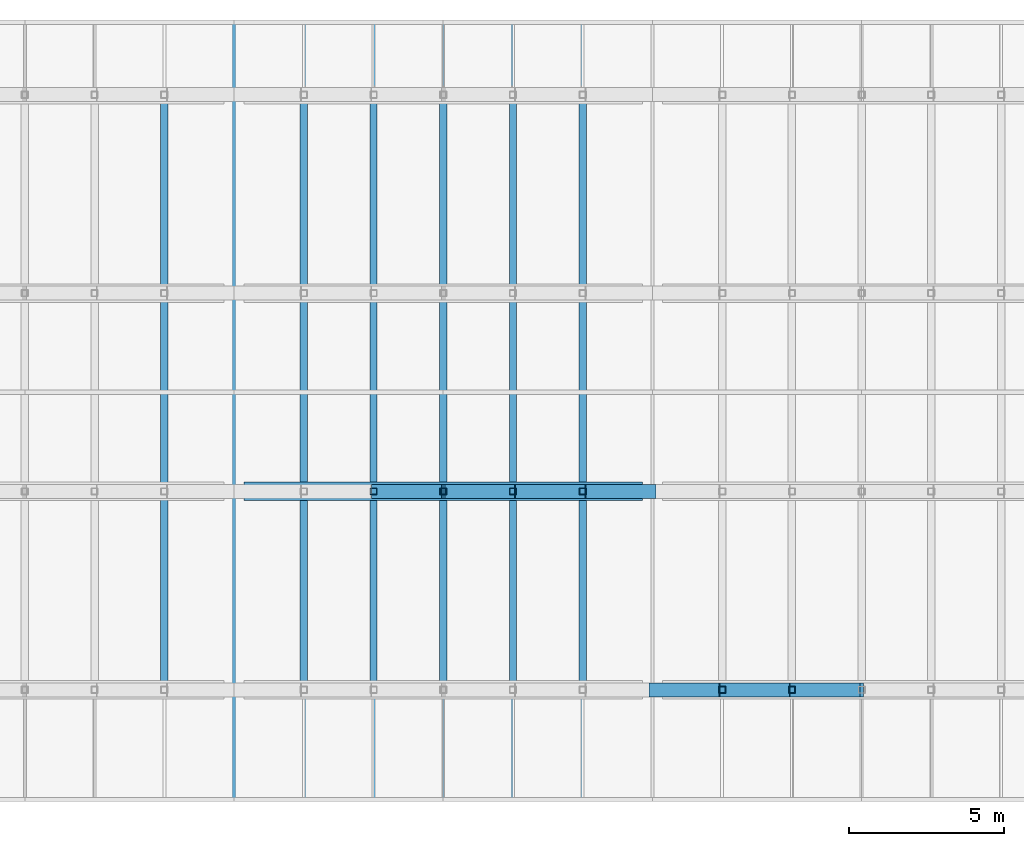
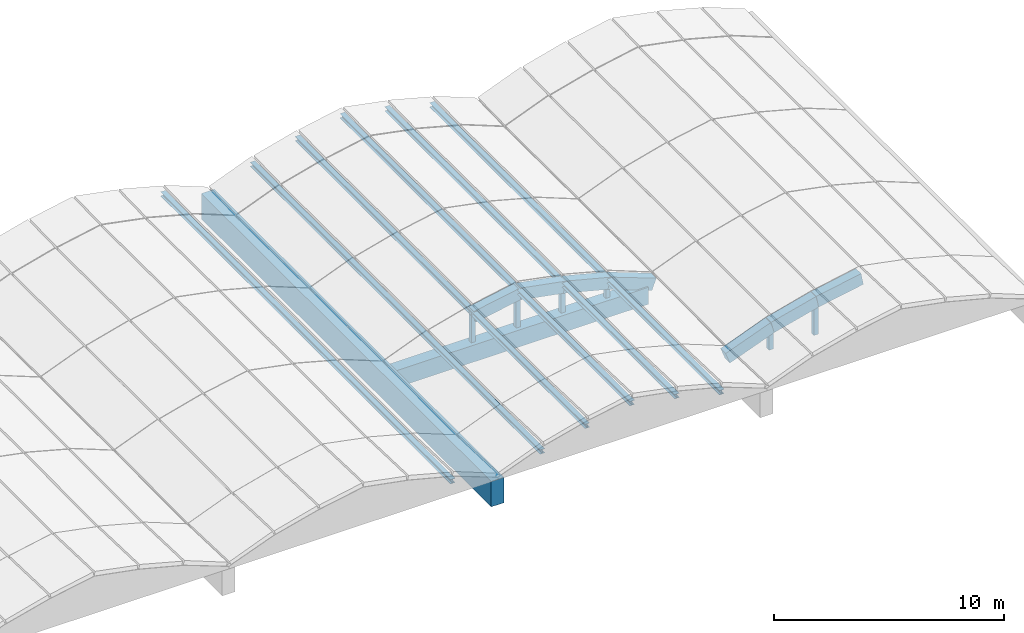
# One storey, part 8 of 15: 12 members, 9 beams.
"""IFC4 building model written with IfcOpenShell, lengths in metres."""

from ifc_helpers import new_model, si_unit, direction, frame, origin, origin_2d, place, context, subcontext, project, spatial, rectangle, hollow_rectangle, i_section, extrude, material, material_profile, profile_set, type_object, element, save


model = new_model("IFC4")

# Units and contexts
model_context = context("Model", 3, precision=1e-05, world=origin(), true_north=direction((0.0, 1.0)))
body_context = subcontext(model_context, "Body", "Model", "MODEL_VIEW")
ifc_project = project(units=[si_unit("LENGTHUNIT", "METRE"), si_unit("AREAUNIT", "SQUARE_METRE"), si_unit("VOLUMEUNIT", "CUBIC_METRE"), si_unit("PLANEANGLEUNIT", "RADIAN"), si_unit("MASSUNIT", "GRAM", prefix="KILO")], contexts=[model_context])

# Site, building, storey
site_placement = place(None, origin())
site = spatial("IfcSite", under=ifc_project, at=site_placement, CompositionType="ELEMENT")
building_placement = place(site_placement, origin())
building = spatial("IfcBuilding", under=site, at=building_placement, Name="Fikremerkos Civic Library", CompositionType="ELEMENT")
storey_placement = place(building_placement, frame((0.0, 0.0, 27.89990234375)))
storey = spatial("IfcBuildingStorey", under=building, at=storey_placement, Name="RF", CompositionType="ELEMENT", Elevation=27.89990234375)

# Members
ifc_material_1 = material(Name="Steel S355", Category="steel")
ifc_material_profile_1 = material_profile(ifc_material_1, hollow_rectangle(XDim=0.219970703125, YDim=0.219970703125, WallThickness=0.012451171875, at=origin_2d()), Name="SHS 220x220x12.5")
ifc_profile_set_1 = profile_set([ifc_material_profile_1], Name="Steel S355")
member_type_1 = type_object("IfcMemberType", Name="Frame post PST-04 SHS 220x220x12.5", PredefinedType="POST", material=ifc_profile_set_1)
member_1_placement = place(storey_placement, frame((91.199951171875, 18.39990234375, -0.75), z_axis=(0.0, 0.0, 1.0), x_axis=(1.0, 0.0, 0.0)))
element("IfcMember", 1, at=member_1_placement, inside=storey, type_object=member_type_1, Name="Vault tied-arch web post PST-04 V6 R2.2", PredefinedType="POST", context=body_context, shape_type="SweptSolid", body=[
    extrude(hollow_rectangle(XDim=0.219970703125, YDim=0.219970703125, WallThickness=0.012451171875, at=origin_2d()), origin(), (0.0, 0.0, 1.0), 2.05419921875),
])
member_2_placement = place(storey_placement, frame((93.449951171875, 18.39990234375, -0.75), z_axis=(0.0, 0.0, 1.0), x_axis=(1.0, 0.0, 0.0)))
element("IfcMember", 2, at=member_2_placement, inside=storey, type_object=member_type_1, Name="Vault tied-arch web post PST-04 V6 R2.3", PredefinedType="POST", context=body_context, shape_type="SweptSolid", body=[
    extrude(hollow_rectangle(XDim=0.219970703125, YDim=0.219970703125, WallThickness=0.012451171875, at=origin_2d()), origin(), (0.0, 0.0, 1.0), 2.47412109375),
])
member_3_placement = place(storey_placement, frame((95.699951171875, 18.39990234375, -0.75), z_axis=(0.0, 0.0, 1.0), x_axis=(1.0, 0.0, 0.0)))
element("IfcMember", 3, at=member_3_placement, inside=storey, type_object=member_type_1, Name="Vault tied-arch web post PST-04 V6 R2.4", PredefinedType="POST", context=body_context, shape_type="SweptSolid", body=[
    extrude(hollow_rectangle(XDim=0.219970703125, YDim=0.219970703125, WallThickness=0.012451171875, at=origin_2d()), origin(), (0.0, 0.0, 1.0), 2.05419921875),
])
member_4_placement = place(storey_placement, frame((97.949951171875, 18.39990234375, -0.75), z_axis=(0.0, 0.0, 1.0), x_axis=(1.0, 0.0, 0.0)))
element("IfcMember", 4, at=member_4_placement, inside=storey, type_object=member_type_1, Name="Vault tied-arch web post PST-04 V6 R2.5", PredefinedType="POST", context=body_context, shape_type="SweptSolid", body=[
    extrude(hollow_rectangle(XDim=0.219970703125, YDim=0.219970703125, WallThickness=0.012451171875, at=origin_2d()), origin(), (0.0, 0.0, 1.0), 1.47607421875),
])
member_5_placement = place(storey_placement, frame((102.449951171875, 12.0, -0.75), z_axis=(0.0, 0.0, 1.0), x_axis=(1.0, 0.0, 0.0)))
element("IfcMember", 5, at=member_5_placement, inside=storey, type_object=member_type_1, Name="Vault tied-arch web post PST-04 V7 R1.1", PredefinedType="POST", context=body_context, shape_type="SweptSolid", body=[
    extrude(hollow_rectangle(XDim=0.219970703125, YDim=0.219970703125, WallThickness=0.012451171875, at=origin_2d()), origin(), (0.0, 0.0, 1.0), 1.43603515625),
])
member_6_placement = place(storey_placement, frame((104.699951171875, 12.0, -0.75), z_axis=(0.0, 0.0, 1.0), x_axis=(1.0, 0.0, 0.0)))
element("IfcMember", 6, at=member_6_placement, inside=storey, type_object=member_type_1, Name="Vault tied-arch web post PST-04 V7 R1.2", PredefinedType="POST", context=body_context, shape_type="SweptSolid", body=[
    extrude(hollow_rectangle(XDim=0.219970703125, YDim=0.219970703125, WallThickness=0.012451171875, at=origin_2d()), origin(), (0.0, 0.0, 1.0), 2.01416015625),
])

# Beams
ifc_material_2 = material(Name="Concrete C45/55", Category="concrete")
ifc_material_profile_2 = material_profile(ifc_material_2, rectangle(XDim=0.449951171875, YDim=0.6201171875, at=origin_2d()), Name="RC 450x620")
ifc_profile_set_2 = profile_set([ifc_material_profile_2], Name="Concrete C45/55")
beam_type_1 = type_object("IfcBeamType", Name="Primary girder vault arch rib BM-10 RC 450x620", PredefinedType="BEAM", material=ifc_profile_set_2)
for number, where, z_axis, x_axis, name in (
    (7, (91.199951171875, 18.39990234375, 1.114013671875), (0.983007163041, 0.0, 0.183567201345), (0.0, 1.0, 0.0), "Concrete vault arch rib BM-10 V6 R2.3"),
    (8, (93.449951171875, 18.39990234375, 1.5341796875), (0.983007163041, 0.0, -0.183567201345), (0.0, 1.0, 0.0), "Concrete vault arch rib BM-10 V6 R2.4"),
):
    element("IfcBeam", number, at=place(storey_placement, frame(where, z_axis=z_axis, x_axis=x_axis)), inside=storey, type_object=beam_type_1, Name=name, PredefinedType="BEAM", context=body_context, shape_type="SweptSolid", body=[
        extrude(rectangle(XDim=0.449951171875, YDim=0.6201171875, at=origin_2d()), origin(), (0.0, 0.0, 1.0), 2.288818359375),
    ])
beam_1_placement = place(storey_placement, frame((95.699951171875, 18.39990234375, 1.114013671875), z_axis=(0.968564592705, 0.0, -0.248762195197), x_axis=(0.0, 1.0, 0.0)))
element("IfcBeam", 9, at=beam_1_placement, inside=storey, type_object=beam_type_1, Name="Concrete vault arch rib BM-10 V6 R2.5", PredefinedType="BEAM", context=body_context, shape_type="SweptSolid", body=[
    extrude(rectangle(XDim=0.449951171875, YDim=0.6201171875, at=origin_2d()), origin(), (0.0, 0.0, 1.0), 2.322998046875),
])
for number, where, z_axis, x_axis, name in (
    (10, (97.949951171875, 18.39990234375, 0.5361328125), (0.936028311828, 0.0, -0.351924707084), (0.0, 1.0, 0.0), "Concrete vault arch rib BM-10 V6 R2.6"),
    (11, (100.199951171875, 12.0, -0.349853515625), (0.936028311828, 0.0, 0.351924707084), (0.0, 1.0, 0.0), "Concrete vault arch rib BM-10 V7 R1.1"),
):
    element("IfcBeam", number, at=place(storey_placement, frame(where, z_axis=z_axis, x_axis=x_axis)), inside=storey, type_object=beam_type_1, Name=name, PredefinedType="BEAM", context=body_context, shape_type="SweptSolid", body=[
        extrude(rectangle(XDim=0.449951171875, YDim=0.6201171875, at=origin_2d()), origin(), (0.0, 0.0, 1.0), 2.40380859375),
    ])
beam_2_placement = place(storey_placement, frame((102.449951171875, 12.0, 0.49609375), z_axis=(0.968539266286, 0.0, 0.248860783698), x_axis=(0.0, 1.0, 0.0)))
element("IfcBeam", 12, at=beam_2_placement, inside=storey, type_object=beam_type_1, Name="Concrete vault arch rib BM-10 V7 R1.2", PredefinedType="BEAM", context=body_context, shape_type="SweptSolid", body=[
    extrude(rectangle(XDim=0.449951171875, YDim=0.6201171875, at=origin_2d()), origin(), (0.0, 0.0, 1.0), 2.322998046875),
])
beam_3_placement = place(storey_placement, frame((104.699951171875, 12.0, 1.07421875), z_axis=(0.983026405145, 0.0, 0.183464129432), x_axis=(0.0, 1.0, 0.0)))
element("IfcBeam", 13, at=beam_3_placement, inside=storey, type_object=beam_type_1, Name="Concrete vault arch rib BM-10 V7 R1.3", PredefinedType="BEAM", context=body_context, shape_type="SweptSolid", body=[
    extrude(rectangle(XDim=0.449951171875, YDim=0.6201171875, at=origin_2d()), origin(), (0.0, 0.0, 1.0), 2.288818359375),
])
ifc_material_profile_3 = material_profile(ifc_material_2, rectangle(XDim=0.60009765625, YDim=0.89990234375, at=origin_2d()), Name="RC 600x900")
ifc_profile_set_3 = profile_set([ifc_material_profile_3], Name="Concrete C45/55")
beam_type_2 = type_object("IfcBeamType", Name="Primary girder vault tie ring BM-09 RC 600x900", PredefinedType="BEAM", material=ifc_profile_set_3)
beam_4_placement = place(storey_placement, frame((87.02490234375, 18.39990234375, -0.75), z_axis=(1.0, 0.0, 0.0), x_axis=(0.0, 1.0, 0.0)))
element("IfcBeam", 14, at=beam_4_placement, inside=storey, type_object=beam_type_2, Name="Vault springing tie ring beam BM-09 V6 #2", PredefinedType="BEAM", context=body_context, shape_type="SweptSolid", body=[
    extrude(rectangle(XDim=0.60009765625, YDim=0.89990234375, at=origin_2d()), origin(), (0.0, 0.0, 1.0), 12.85009765625),
])

# Members
ifc_material_profile_4 = material_profile(ifc_material_1, i_section(OverallWidth=0.239990234375, OverallDepth=0.22998046875, WebThickness=0.007568359375, FlangeThickness=0.011962890625, FilletRadius=0.02099609375, at=origin_2d()), Name="HEA 240")
ifc_profile_set_4 = profile_set([ifc_material_profile_4], Name="Steel S355")
member_type_2 = type_object("IfcMemberType", Name="Roof purlin PUR-06 HEA 240", PredefinedType="PURLIN", material=ifc_profile_set_4)
for number, where, z_axis, x_axis, name in (
    (15, (84.449951171875, 8.39990234375, 0.691162109375), (0.0, 1.0, 0.0), (-1.0, 0.0, 0.0), "Vault fold-line purlin PUR-06 V5 #5"),
    (16, (88.949951171875, 8.39990234375, 0.691162109375), (0.0, 1.0, 0.0), (-1.0, 0.0, 0.0), "Vault fold-line purlin PUR-06 V6 #1"),
    (17, (91.199951171875, 8.39990234375, 1.26904296875), (0.0, 1.0, 0.0), (-1.0, 0.0, 0.0), "Vault fold-line purlin PUR-06 V6 #2"),
    (18, (93.449951171875, 8.39990234375, 1.689208984375), (0.0, 1.0, 0.0), (-1.0, 0.0, 0.0), "Vault fold-line purlin PUR-06 V6 #3"),
    (19, (95.699951171875, 8.39990234375, 1.26904296875), (0.0, 1.0, 0.0), (-1.0, 0.0, 0.0), "Vault fold-line purlin PUR-06 V6 #4"),
    (20, (97.949951171875, 8.39990234375, 0.691162109375), (0.0, 1.0, 0.0), (-1.0, 0.0, 0.0), "Vault fold-line purlin PUR-06 V6 #5"),
):
    element("IfcMember", number, at=place(storey_placement, frame(where, z_axis=z_axis, x_axis=x_axis)), inside=storey, type_object=member_type_2, Name=name, PredefinedType="PURLIN", context=body_context, shape_type="SweptSolid", body=[
        extrude(i_section(OverallWidth=0.239990234375, OverallDepth=0.22998046875, WebThickness=0.007568359375, FlangeThickness=0.011962890625, FilletRadius=0.02099609375, at=origin_2d()), origin(), (0.0, 0.0, 1.0), 25.2001953125),
    ])

# Beam
ifc_material_profile_5 = material_profile(ifc_material_2, rectangle(XDim=0.64990234375, YDim=1.35009765625, at=origin_2d()), Name="RC 650x1350")
ifc_profile_set_5 = profile_set([ifc_material_profile_5], Name="Concrete C45/55")
beam_type_3 = type_object("IfcBeamType", Name="Spandrel edge beam valley SPB-01 RC 650x1350", PredefinedType="SPANDREL", material=ifc_profile_set_5)
beam_5_placement = place(storey_placement, frame((86.699951171875, 8.39990234375, -0.6748046875), z_axis=(0.0, 1.0, 0.0), x_axis=(-1.0, 0.0, 0.0)))
element("IfcBeam", 21, at=beam_5_placement, inside=storey, type_object=beam_type_3, Name="Reading hall concrete valley edge beam SPB-01 #6", PredefinedType="SPANDREL", context=body_context, shape_type="SweptSolid", body=[
    extrude(rectangle(XDim=0.64990234375, YDim=1.35009765625, at=origin_2d()), origin(), (0.0, 0.0, 1.0), 25.2001953125),
])

save(model, "model.ifc")
